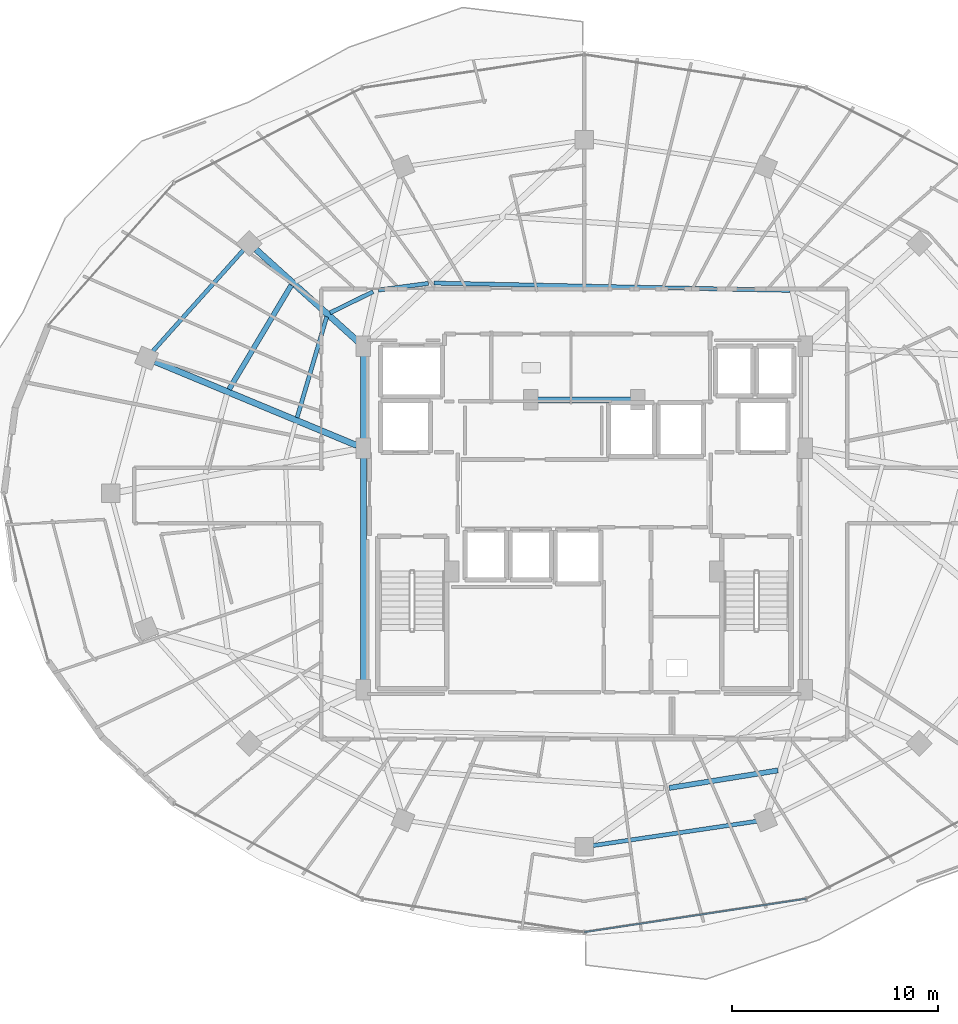
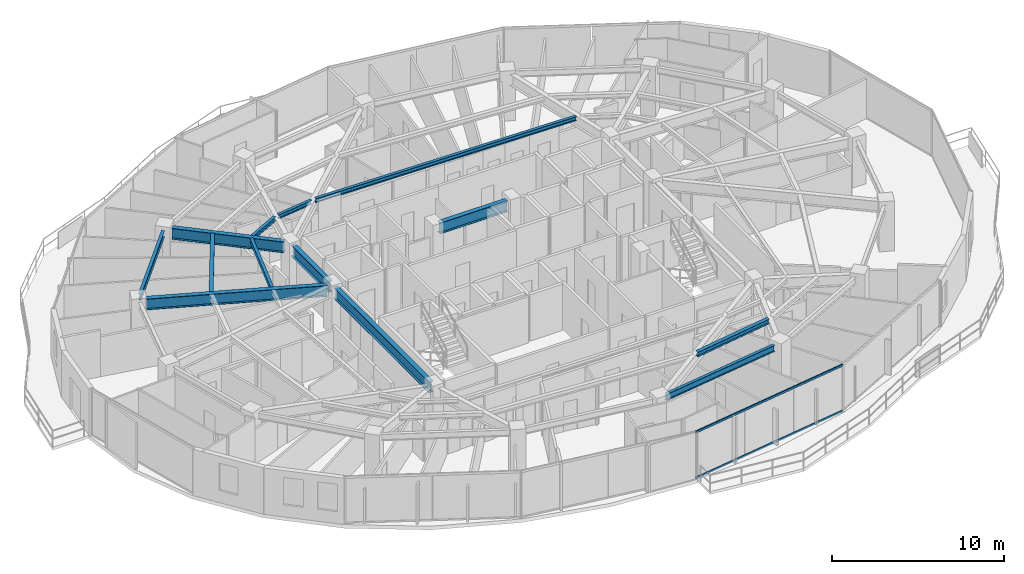
# One storey, part 10 of 34: 13 beams, 2 members, 1 element without a shape of its own.
"""IFC4 building model written with IfcOpenShell, lengths in metres."""

from ifc_helpers import new_model, si_unit, direction, frame, origin, origin_2d, place, context, subcontext, project, spatial, hollow_rectangle, i_section, extrude, material, material_profile, profile_set, type_object, element, aggregate, save


model = new_model("IFC4")

# Units and contexts
model_context = context("Model", 3, precision=1e-05, world=origin(), true_north=direction((0.0, 1.0)))
body_context = subcontext(model_context, "Body", "Model", "MODEL_VIEW")
ifc_project = project(units=[si_unit("LENGTHUNIT", "METRE"), si_unit("AREAUNIT", "SQUARE_METRE"), si_unit("VOLUMEUNIT", "CUBIC_METRE"), si_unit("PLANEANGLEUNIT", "RADIAN"), si_unit("MASSUNIT", "GRAM", prefix="KILO")], contexts=[model_context])

# Site, building, storey
site_placement = place(None, origin())
site = spatial("IfcSite", under=ifc_project, at=site_placement, CompositionType="ELEMENT")
building_placement = place(site_placement, origin())
building = spatial("IfcBuilding", under=site, at=building_placement, Name="Vorneva Point Tower", CompositionType="ELEMENT")
storey_placement = place(building_placement, frame((0.0, 0.0, 210.75)))
storey = spatial("IfcBuildingStorey", under=building, at=storey_placement, Name="L57", CompositionType="ELEMENT", Elevation=210.75)

# Beams
ifc_material_1 = material(Name="Steel S355", Category="steel")
ifc_material_profile_1 = material_profile(ifc_material_1, i_section(OverallWidth=0.300048828125, OverallDepth=0.7880859375, WebThickness=0.014404296875, FlangeThickness=0.02197265625, at=origin_2d()), Name="80Sh1")
ifc_profile_set_1 = profile_set([ifc_material_profile_1], Name="Steel S355")
beam_type_1 = type_object("IfcBeamType", Name="BM-GRD-80Sh1", PredefinedType="USERDEFINED", material=ifc_profile_set_1)
beam_1_placement = place(storey_placement, frame((22.026123046875, 37.86865234375, 2.89599609375), z_axis=(0.742089778537, -0.670300500217, 0.0), x_axis=(0.670300500217, 0.742089778537, 0.0)))
element("IfcBeam", 1, at=beam_1_placement, inside=storey, type_object=beam_type_1, Name="L57 Radial Primary Girder 07", ObjectType="GIRDER", PredefinedType="USERDEFINED", context=body_context, shape_type="SweptSolid", body=[
    extrude(i_section(OverallWidth=0.300048828125, OverallDepth=0.7880859375, WebThickness=0.014404296875, FlangeThickness=0.02197265625, at=origin_2d()), origin(), (0.0, 0.0, 1.0), 6.699462890625),
])
beam_2_placement = place(storey_placement, frame((17.109130859375, 32.4140625, 2.89599609375), z_axis=(0.923445067159, -0.383730645035, 0.0), x_axis=(0.383730645035, 0.923445067159, 0.0)))
element("IfcBeam", 2, at=beam_2_placement, inside=storey, type_object=beam_type_1, Name="L57 Radial Primary Girder 08", ObjectType="GIRDER", PredefinedType="USERDEFINED", context=body_context, shape_type="SweptSolid", body=[
    extrude(i_section(OverallWidth=0.300048828125, OverallDepth=0.7880859375, WebThickness=0.014404296875, FlangeThickness=0.02197265625, at=origin_2d()), origin(), (0.0, 0.0, 1.0), 10.6416015625),
])
beam_3_placement = place(storey_placement, frame((27.25, 16.77001953125, 2.89599609375), z_axis=(0.0, 1.0, 0.0), x_axis=(-1.0, 0.0, 0.0)))
element("IfcBeam", 3, at=beam_3_placement, inside=storey, type_object=beam_type_1, Name="L57 Core Tie Girder CT1", ObjectType="GIRDER", PredefinedType="USERDEFINED", context=body_context, shape_type="SweptSolid", body=[
    extrude(i_section(OverallWidth=0.300048828125, OverallDepth=0.7880859375, WebThickness=0.014404296875, FlangeThickness=0.02197265625, at=origin_2d()), origin(), (0.0, 0.0, 1.0), 11.10986328125),
])
beam_4_placement = place(storey_placement, frame((27.25, 28.52001953125, 2.89599609375), z_axis=(0.0, 1.0, 0.0), x_axis=(-1.0, 0.0, 0.0)))
element("IfcBeam", 4, at=beam_4_placement, inside=storey, type_object=beam_type_1, Name="L57 Core Tie Girder CT2", ObjectType="GIRDER", PredefinedType="USERDEFINED", context=body_context, shape_type="SweptSolid", body=[
    extrude(i_section(OverallWidth=0.300048828125, OverallDepth=0.7880859375, WebThickness=0.014404296875, FlangeThickness=0.02197265625, at=origin_2d()), origin(), (0.0, 0.0, 1.0), 4.31005859375),
])
beam_5_placement = place(storey_placement, frame((35.719970703125, 30.550048828125, 2.89599609375), z_axis=(1.0, 0.0, 0.0), x_axis=(0.0, 1.0, 0.0)))
element("IfcBeam", 5, at=beam_5_placement, inside=storey, type_object=beam_type_1, Name="L57 Core Tie Girder CT8", ObjectType="GIRDER", PredefinedType="USERDEFINED", context=body_context, shape_type="SweptSolid", body=[
    extrude(i_section(OverallWidth=0.300048828125, OverallDepth=0.7880859375, WebThickness=0.014404296875, FlangeThickness=0.02197265625, at=origin_2d()), origin(), (0.0, 0.0, 1.0), 4.56005859375),
])
ifc_material_profile_2 = material_profile(ifc_material_1, i_section(OverallWidth=0.199951171875, OverallDepth=0.291015625, WebThickness=0.008056640625, FlangeThickness=0.010986328125, at=origin_2d()), Name="30Sh1")
ifc_profile_set_2 = profile_set([ifc_material_profile_2], Name="Steel S355")
beam_type_2 = type_object("IfcBeamType", Name="BM-SEC-30Sh1", PredefinedType="BEAM", material=ifc_profile_set_2)
beam_6_placement = place(storey_placement, frame((48.01025390625, 35.879150390625, 3.14453125), z_axis=(-0.999788862622, 0.020548240227, 0.0), x_axis=(-0.020548240227, -0.999788862622, 0.0)))
element("IfcBeam", 6, at=beam_6_placement, inside=storey, type_object=beam_type_2, Name="L57 Secondary Floor Beam 2.04", PredefinedType="BEAM", context=body_context, shape_type="SweptSolid", body=[
    extrude(i_section(OverallWidth=0.199951171875, OverallDepth=0.291015625, WebThickness=0.008056640625, FlangeThickness=0.010986328125, at=origin_2d()), origin(), (0.0, 0.0, 1.0), 17.322998046875),
])
beam_7_placement = place(storey_placement, frame((30.416015625, 36.219482421875, 3.14453125), z_axis=(-0.991158988789, -0.132679534756, 0.0), x_axis=(0.132679534756, -0.991158988789, 0.0)))
element("IfcBeam", 7, at=beam_7_placement, inside=storey, type_object=beam_type_2, Name="L57 Secondary Floor Beam 2.05", PredefinedType="BEAM", context=body_context, shape_type="SweptSolid", body=[
    extrude(i_section(OverallWidth=0.199951171875, OverallDepth=0.291015625, WebThickness=0.008056640625, FlangeThickness=0.010986328125, at=origin_2d()), origin(), (0.0, 0.0, 1.0), 2.44921875),
])
beam_8_placement = place(storey_placement, frame((27.727783203125, 35.8154296875, 3.14453125), z_axis=(-0.897704429199, -0.440598181789, 0.0), x_axis=(0.440598181789, -0.897704429199, 0.0)))
element("IfcBeam", 8, at=beam_8_placement, inside=storey, type_object=beam_type_2, Name="L57 Secondary Floor Beam 2.06", PredefinedType="BEAM", context=body_context, shape_type="SweptSolid", body=[
    extrude(i_section(OverallWidth=0.199951171875, OverallDepth=0.291015625, WebThickness=0.008056640625, FlangeThickness=0.010986328125, at=origin_2d()), origin(), (0.0, 0.0, 1.0), 2.336669921875),
])
beam_9_placement = place(storey_placement, frame((25.46728515625, 34.5927734375, 3.14453125), z_axis=(-0.281778448701, -0.959479497357, 0.0), x_axis=(0.959479497357, -0.281778448701, 0.0)))
element("IfcBeam", 9, at=beam_9_placement, inside=storey, type_object=beam_type_2, Name="L57 Secondary Floor Beam 2.07", PredefinedType="BEAM", context=body_context, shape_type="SweptSolid", body=[
    extrude(i_section(OverallWidth=0.199951171875, OverallDepth=0.291015625, WebThickness=0.008056640625, FlangeThickness=0.010986328125, at=origin_2d()), origin(), (0.0, 0.0, 1.0), 5.11181640625),
])
ifc_material_profile_3 = material_profile(ifc_material_1, i_section(OverallWidth=0.2490234375, OverallDepth=0.333984375, WebThickness=0.008056640625, FlangeThickness=0.010986328125, at=origin_2d()), Name="35Sh1")
ifc_profile_set_3 = profile_set([ifc_material_profile_3], Name="Steel S355")
beam_type_3 = type_object("IfcBeamType", Name="BM-SEC-35Sh1", PredefinedType="BEAM", material=ifc_profile_set_3)
beam_10_placement = place(storey_placement, frame((23.7451171875, 36.133544921875, 3.123046875), z_axis=(-0.512622198489, -0.858614279882, 0.0), x_axis=(0.858614279882, -0.512622198489, 0.0)))
element("IfcBeam", 10, at=beam_10_placement, inside=storey, type_object=beam_type_3, Name="L57 Secondary Floor Beam 1.07", PredefinedType="BEAM", context=body_context, shape_type="SweptSolid", body=[
    extrude(i_section(OverallWidth=0.2490234375, OverallDepth=0.333984375, WebThickness=0.008056640625, FlangeThickness=0.010986328125, at=origin_2d()), origin(), (0.0, 0.0, 1.0), 5.906005859375),
])
beam_11_placement = place(storey_placement, frame((42.135009765625, 11.66748046875, 3.123046875), z_axis=(0.987232801798, 0.159284007527, 0.0), x_axis=(-0.159284007527, 0.987232801798, 0.0)))
element("IfcBeam", 11, at=beam_11_placement, inside=storey, type_object=beam_type_3, Name="L57 Secondary Floor Beam 1.13", PredefinedType="BEAM", context=body_context, shape_type="SweptSolid", body=[
    extrude(i_section(OverallWidth=0.2490234375, OverallDepth=0.333984375, WebThickness=0.008056640625, FlangeThickness=0.010986328125, at=origin_2d()), origin(), (0.0, 0.0, 1.0), 5.3583984375),
])
ifc_material_profile_4 = material_profile(ifc_material_1, i_section(OverallWidth=0.198974609375, OverallDepth=0.446044921875, WebThickness=0.008056640625, FlangeThickness=0.011962890625, at=origin_2d()), Name="45B1")
ifc_profile_set_4 = profile_set([ifc_material_profile_4], Name="Steel S355")
beam_type_4 = type_object("IfcBeamType", Name="BM-SPN-45B1", PredefinedType="SPANDREL", material=ifc_profile_set_4)
beam_12_placement = place(storey_placement, frame((21.410888671875, 37.838134765625, 3.06689453125), z_axis=(-0.66706970547, -0.744995307397, 0.0), x_axis=(0.744995307397, -0.66706970547, 0.0)))
element("IfcBeam", 12, at=beam_12_placement, inside=storey, type_object=beam_type_4, Name="L57 Perimeter Spandrel Ring Beam 07", PredefinedType="SPANDREL", context=body_context, shape_type="SweptSolid", body=[
    extrude(i_section(OverallWidth=0.198974609375, OverallDepth=0.446044921875, WebThickness=0.008056640625, FlangeThickness=0.011962890625, at=origin_2d()), origin(), (0.0, 0.0, 1.0), 6.6201171875),
])
beam_13_placement = place(storey_placement, frame((38.430419921875, 8.864013671875, 3.06689453125), z_axis=(0.989165476332, 0.146804837907, 0.0), x_axis=(-0.146804837907, 0.989165476332, 0.0)))
element("IfcBeam", 13, at=beam_13_placement, inside=storey, type_object=beam_type_4, Name="L57 Perimeter Spandrel Ring Beam 13", PredefinedType="SPANDREL", context=body_context, shape_type="SweptSolid", body=[
    extrude(i_section(OverallWidth=0.198974609375, OverallDepth=0.446044921875, WebThickness=0.008056640625, FlangeThickness=0.011962890625, at=origin_2d()), origin(), (0.0, 0.0, 1.0), 8.04736328125),
])

# Curtain wall, members
ifc_material_2 = material(Name="Pale anodised aluminium", Category="aluminium")
curtain_wall_type = type_object("IfcCurtainWallType", Name="CW-RES-SYS", PredefinedType="NOTDEFINED", material=ifc_material_2)
curtain_wall_placement = place(storey_placement, origin())
curtain_wall = element("IfcCurtainWall", 14, at=curtain_wall_placement, inside=storey, type_object=curtain_wall_type, Name="L57 Unitised Curtain Wall CW-L57-R04", PredefinedType="NOTDEFINED")
ifc_material_profile_5 = material_profile(ifc_material_2, hollow_rectangle(XDim=0.074951171875, YDim=0.14990234375, WallThickness=0.00390625, at=origin_2d()), Name="AL-TRN 150x75x4")
ifc_profile_set_5 = profile_set([ifc_material_profile_5], Name="Pale anodised aluminium")
member_type = type_object("IfcMemberType", Name="CW-TRN-150", PredefinedType="USERDEFINED", material=ifc_profile_set_5)
member_1_placement = place(storey_placement, frame((38.0, 4.64990234375, 0.02001953125), z_axis=(0.988872333273, 0.148766624239, 0.0), x_axis=(-0.148766624239, 0.988872333273, 0.0)))
member_1 = element("IfcMember", 15, at=member_1_placement, type_object=member_type, Name="CW-L57-R04 Transom 03.1", ObjectType="TRANSOM", PredefinedType="USERDEFINED", context=body_context, shape_type="SweptSolid", body=[
    extrude(hollow_rectangle(XDim=0.074951171875, YDim=0.14990234375, WallThickness=0.00390625, at=origin_2d()), origin(), (0.0, 0.0, 1.0), 10.9248046875),
])
member_2_placement = place(storey_placement, frame((38.0, 4.64990234375, 3.27001953125), z_axis=(0.988872333273, 0.148766624239, 0.0), x_axis=(-0.148766624239, 0.988872333273, 0.0)))
member_2 = element("IfcMember", 16, at=member_2_placement, type_object=member_type, Name="CW-L57-R04 Transom 03.2", ObjectType="TRANSOM", PredefinedType="USERDEFINED", context=body_context, shape_type="SweptSolid", body=[
    extrude(hollow_rectangle(XDim=0.074951171875, YDim=0.14990234375, WallThickness=0.00390625, at=origin_2d()), origin(), (0.0, 0.0, 1.0), 10.9248046875),
])
aggregate(curtain_wall, [member_1, member_2])

save(model, "model.ifc")
